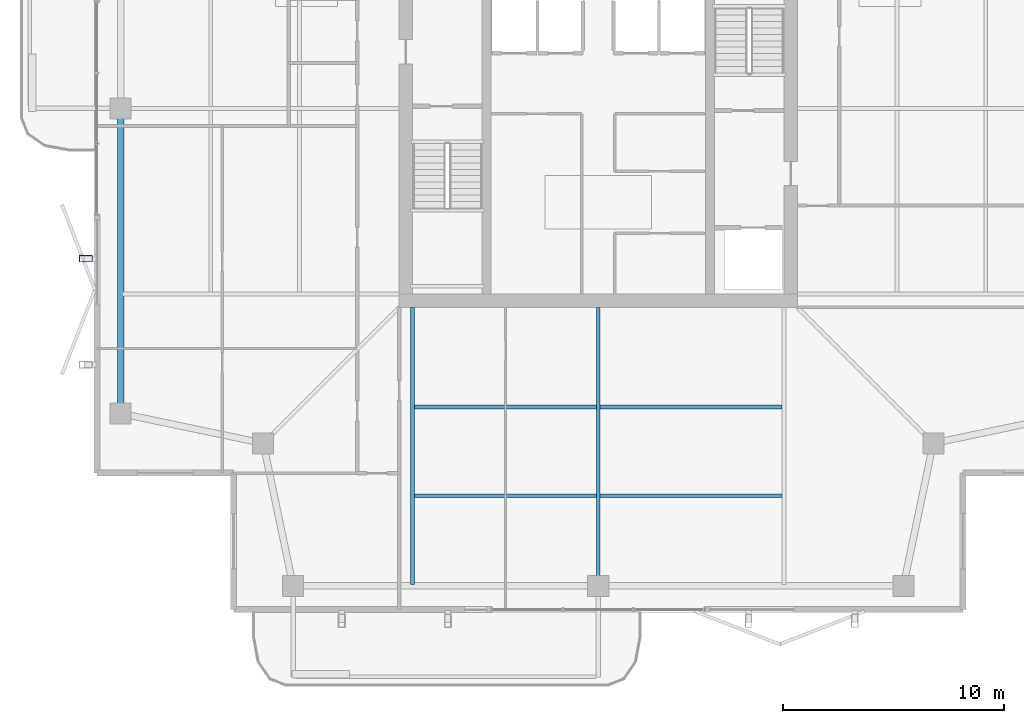
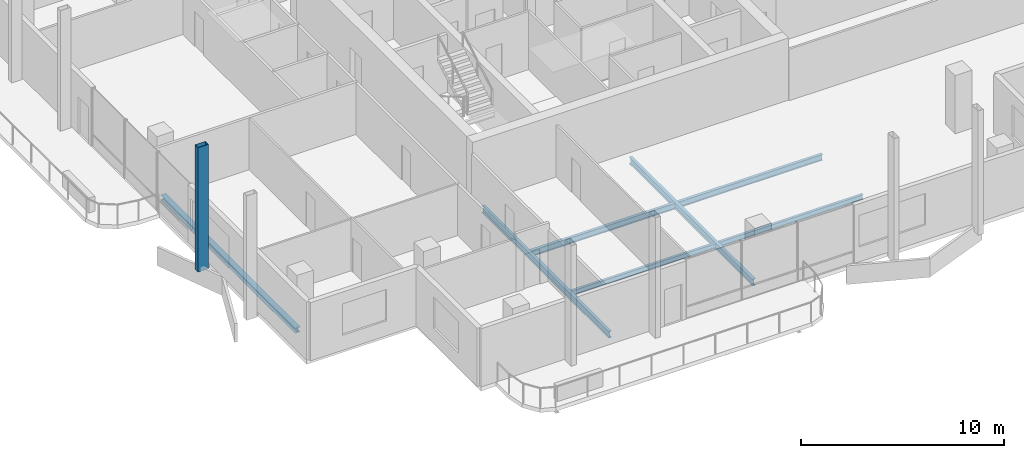
# One storey, part 5 of 20: 7 beams, 1 member.
"""IFC4 building model written with IfcOpenShell, lengths in metres."""

from ifc_helpers import new_model, si_unit, direction, frame, origin, origin_2d, place, context, subcontext, project, spatial, hollow_rectangle, i_section, extrude, material, material_profile, profile_set, type_object, element, save


model = new_model("IFC4")

# Units and contexts
model_context = context("Model", 3, precision=1e-05, world=origin(), true_north=direction((0.0, 1.0)))
body_context = subcontext(model_context, "Body", "Model", "MODEL_VIEW")
ifc_project = project(units=[si_unit("LENGTHUNIT", "METRE"), si_unit("AREAUNIT", "SQUARE_METRE"), si_unit("VOLUMEUNIT", "CUBIC_METRE"), si_unit("PLANEANGLEUNIT", "RADIAN"), si_unit("MASSUNIT", "GRAM", prefix="KILO")], contexts=[model_context])

# Site, building, storey
site_placement = place(None, origin())
site = spatial("IfcSite", under=ifc_project, at=site_placement, CompositionType="ELEMENT")
building_placement = place(site_placement, origin())
building = spatial("IfcBuilding", under=site, at=building_placement, Name="Belovzor Exchange Tower", CompositionType="ELEMENT")
storey_placement = place(building_placement, frame((0.0, 0.0, 314.25)))
storey = spatial("IfcBuildingStorey", under=building, at=storey_placement, Name="L78", CompositionType="ELEMENT", Elevation=314.25)

# Beams
ifc_material_1 = material(Name="Steel S355", Category="steel")
ifc_material_profile_1 = material_profile(ifc_material_1, i_section(OverallWidth=0.169921875, OverallDepth=0.360107421875, WebThickness=0.008056640625, FlangeThickness=0.0126953125, at=origin_2d()))
ifc_profile_set_1 = profile_set([ifc_material_profile_1], Name="Steel S355")
beam_type_1 = type_object("IfcBeamType", Name="Secondary Infill Floor Joist IPE 360", PredefinedType="BEAM", material=ifc_profile_set_1)
beam_1_placement = place(storey_placement, frame((20.489990234375, 15.291015625, -0.419921875), z_axis=(1.0, 0.0, 0.0), x_axis=(0.0, 1.0, 0.0)))
element("IfcBeam", 1, at=beam_1_placement, inside=storey, type_object=beam_type_1, Name="FJ-360 Secondary Infill Floor Joist IPE 360", PredefinedType="BEAM", context=body_context, shape_type="SweptSolid", body=[
    extrude(i_section(OverallWidth=0.169921875, OverallDepth=0.360107421875, WebThickness=0.008056640625, FlangeThickness=0.0126953125, at=origin_2d()), origin(), (0.0, 0.0, 1.0), 8.219970703125),
])
beam_2_placement = place(storey_placement, frame((28.889892578125, 15.291015625, -0.419921875), z_axis=(1.0, 0.0, 0.0), x_axis=(0.0, 1.0, 0.0)))
element("IfcBeam", 2, at=beam_2_placement, inside=storey, type_object=beam_type_1, Name="FJ-360 Secondary Infill Floor Joist IPE 360", PredefinedType="BEAM", context=body_context, shape_type="SweptSolid", body=[
    extrude(i_section(OverallWidth=0.169921875, OverallDepth=0.360107421875, WebThickness=0.008056640625, FlangeThickness=0.0126953125, at=origin_2d()), origin(), (0.0, 0.0, 1.0), 8.22021484375),
])
ifc_material_2 = material(Name="Steel S355", Category="steel")
ifc_material_profile_2 = material_profile(ifc_material_2, i_section(OverallWidth=0.14990234375, OverallDepth=0.300048828125, WebThickness=0.007080078125, FlangeThickness=0.0107421875, at=origin_2d()))
ifc_profile_set_2 = profile_set([ifc_material_profile_2], Name="Steel S355")
beam_type_2 = type_object("IfcBeamType", Name="Secondary Trim Floor Joist IPE 300", PredefinedType="BEAM", material=ifc_profile_set_2)
beam_3_placement = place(storey_placement, frame((20.489990234375, 11.282958984375, -0.389892578125), z_axis=(1.0, 0.0, 0.0), x_axis=(0.0, 1.0, 0.0)))
element("IfcBeam", 3, at=beam_3_placement, inside=storey, type_object=beam_type_2, Name="FJ-300 Secondary Trim Floor Joist IPE 300", PredefinedType="BEAM", context=body_context, shape_type="SweptSolid", body=[
    extrude(i_section(OverallWidth=0.14990234375, OverallDepth=0.300048828125, WebThickness=0.007080078125, FlangeThickness=0.0107421875, at=origin_2d()), origin(), (0.0, 0.0, 1.0), 8.219970703125),
])
beam_4_placement = place(storey_placement, frame((28.889892578125, 11.282958984375, -0.389892578125), z_axis=(1.0, 0.0, 0.0), x_axis=(0.0, 1.0, 0.0)))
element("IfcBeam", 4, at=beam_4_placement, inside=storey, type_object=beam_type_2, Name="FJ-300 Secondary Trim Floor Joist IPE 300", PredefinedType="BEAM", context=body_context, shape_type="SweptSolid", body=[
    extrude(i_section(OverallWidth=0.14990234375, OverallDepth=0.300048828125, WebThickness=0.007080078125, FlangeThickness=0.0107421875, at=origin_2d()), origin(), (0.0, 0.0, 1.0), 8.22021484375),
])

# Member
ifc_material_3 = material(Name="Extruded Architectural Terracotta on Steel S355 Carrier", Category="masonry")
ifc_material_profile_3 = material_profile(ifc_material_3, hollow_rectangle(XDim=0.300048828125, YDim=0.60009765625, WallThickness=0.01611328125, at=origin_2d()))
ifc_profile_set_3 = profile_set([ifc_material_profile_3], Name="Extruded Architectural Terracotta on Steel S355 Carrier")
member_type = type_object("IfcMemberType", Name="Upper Crown Terracotta Fin Assembly 550", PredefinedType="USERDEFINED", material=ifc_profile_set_3)
member_placement = place(storey_placement, frame((5.625, 22.0, -0.239990234375), z_axis=(0.0, 0.0, 1.0), x_axis=(0.0, 1.0, 0.0)))
element("IfcMember", 5, at=member_placement, inside=storey, type_object=member_type, Name="FIN-TC055 Terracotta Facade Fin L78 W2", ObjectType="FIN", PredefinedType="USERDEFINED", context=body_context, shape_type="SweptSolid", body=[
    extrude(hollow_rectangle(XDim=0.300048828125, YDim=0.60009765625, WallThickness=0.01611328125, at=origin_2d()), origin(), (0.0, 0.0, 1.0), 7.5),
])

# Beams
ifc_material_4 = material(Name="Steel S355", Category="steel")
ifc_material_profile_4 = material_profile(ifc_material_4, i_section(OverallWidth=0.179931640625, OverallDepth=0.39990234375, WebThickness=0.008544921875, FlangeThickness=0.013427734375, at=origin_2d()))
ifc_profile_set_4 = profile_set([ifc_material_profile_4], Name="Steel S355")
beam_type_3 = type_object("IfcBeamType", Name="Zone 5-6 Radial Composite Floor Beam IPE 400", PredefinedType="BEAM", material=ifc_profile_set_4)
beam_5_placement = place(storey_placement, frame((20.39990234375, 19.800048828125, -0.43994140625), z_axis=(0.0, -1.0, 0.0), x_axis=(1.0, 0.0, 0.0)))
element("IfcBeam", 6, at=beam_5_placement, inside=storey, type_object=beam_type_3, Name="FB-400 Zone 5-6 Radial Composite Floor Beam IPE 400", PredefinedType="BEAM", context=body_context, shape_type="SweptSolid", body=[
    extrude(i_section(OverallWidth=0.179931640625, OverallDepth=0.39990234375, WebThickness=0.008544921875, FlangeThickness=0.013427734375, at=origin_2d()), origin(), (0.0, 0.0, 1.0), 12.525146484375),
])
beam_6_placement = place(storey_placement, frame((28.800048828125, 19.800048828125, -0.43994140625), z_axis=(0.0, -1.0, 0.0), x_axis=(1.0, 0.0, 0.0)))
element("IfcBeam", 7, at=beam_6_placement, inside=storey, type_object=beam_type_3, Name="FB-400 Zone 5-6 Radial Composite Floor Beam IPE 400", PredefinedType="BEAM", context=body_context, shape_type="SweptSolid", body=[
    extrude(i_section(OverallWidth=0.179931640625, OverallDepth=0.39990234375, WebThickness=0.008544921875, FlangeThickness=0.013427734375, at=origin_2d()), origin(), (0.0, 0.0, 1.0), 12.18212890625),
])
ifc_material_5 = material(Name="Steel S355", Category="steel")
ifc_material_profile_5 = material_profile(ifc_material_5, i_section(OverallWidth=0.300048828125, OverallDepth=0.300048828125, WebThickness=0.008544921875, FlangeThickness=0.013916015625, at=origin_2d()))
ifc_profile_set_5 = profile_set([ifc_material_profile_5], Name="Steel S355")
beam_type_4 = type_object("IfcBeamType", Name="Zone 6 Primary Girder HEA 300", PredefinedType="BEAM", material=ifc_profile_set_5)
beam_7_placement = place(storey_placement, frame((7.199951171875, 28.5390625, -0.389892578125), z_axis=(0.0, -1.0, 0.0), x_axis=(1.0, 0.0, 0.0)))
element("IfcBeam", 8, at=beam_7_placement, inside=storey, type_object=beam_type_4, Name="FG-Z6 Zone 6 Primary Girder HEA 300", PredefinedType="BEAM", context=body_context, shape_type="SweptSolid", body=[
    extrude(i_section(OverallWidth=0.300048828125, OverallDepth=0.300048828125, WebThickness=0.008544921875, FlangeThickness=0.013916015625, at=origin_2d()), origin(), (0.0, 0.0, 1.0), 13.278076171875),
])

save(model, "model.ifc")
